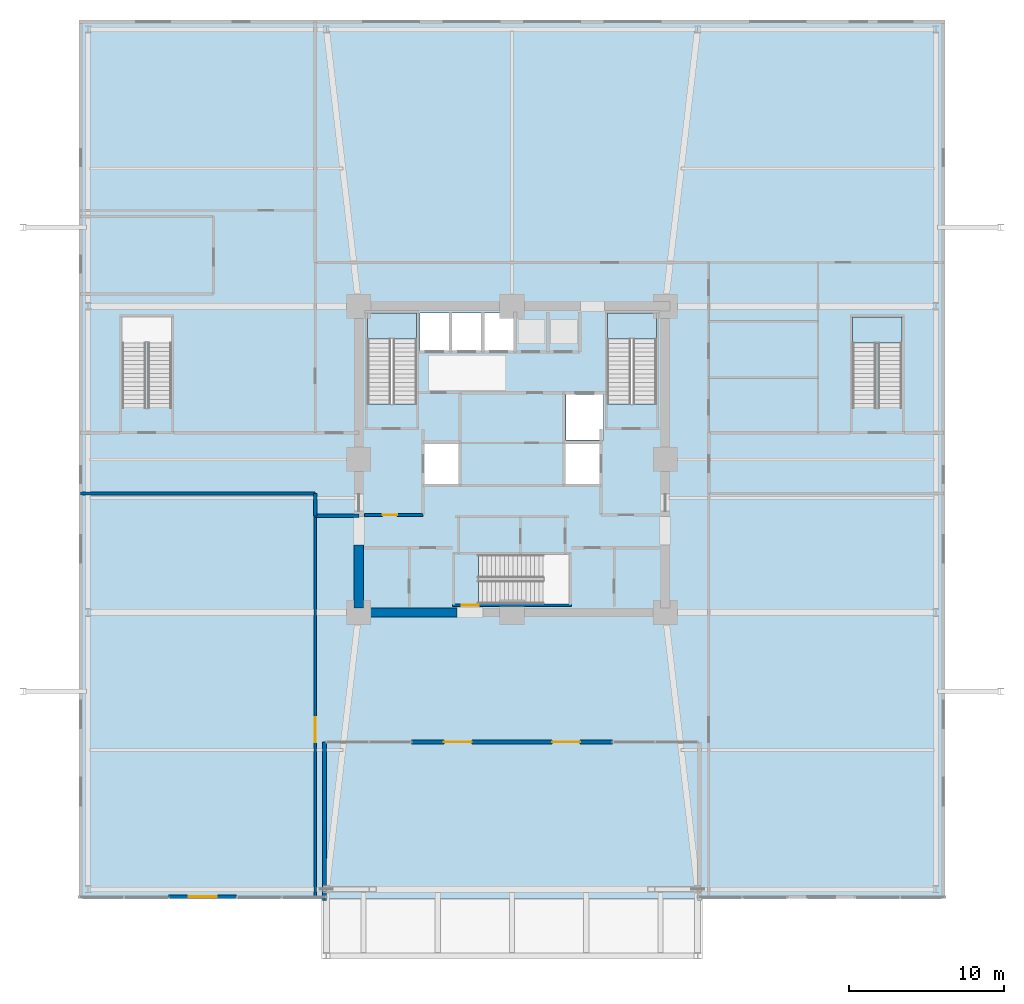
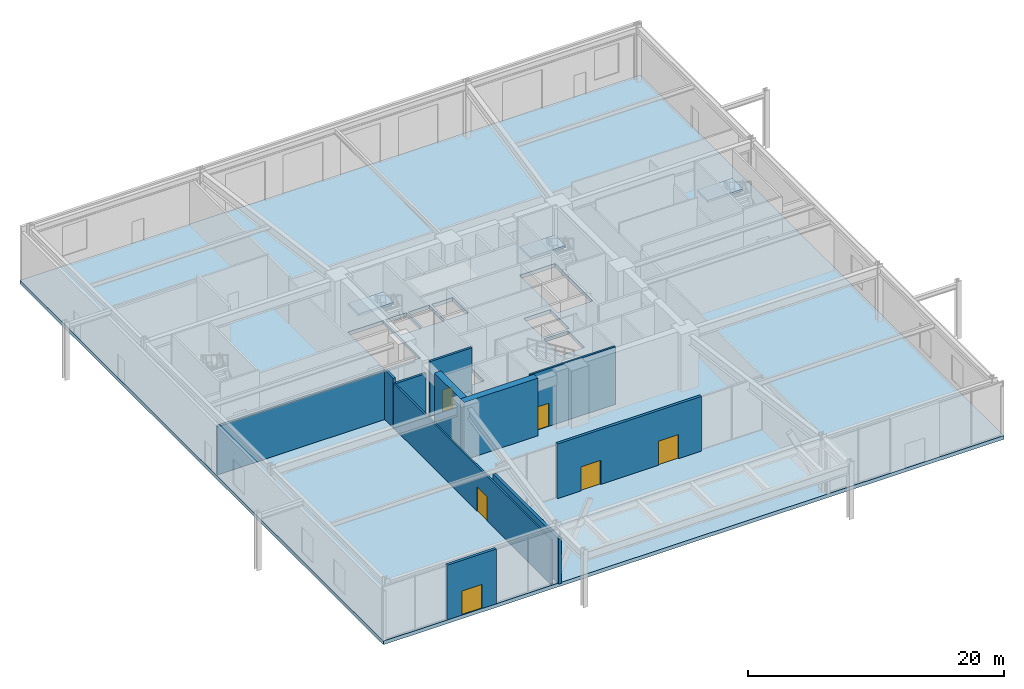
# One storey, part 17 of 24: 11 walls, 6 doors, 4 slabs, 6 openings, 3 elements without a shape of their own.
"""IFC4 building model written with IfcOpenShell, lengths in metres."""

from ifc_helpers import new_model, si_unit, direction, frame, frame_2d, origin, place, context, subcontext, project, spatial, polyline, rectangle, outline, extrude, material, layer, layer_set, type_object, element, fill, aggregate, save


model = new_model("IFC4")

# Units and contexts
model_context = context("Model", 3, precision=1e-05, world=origin(), true_north=direction((0.0, 1.0)))
body_context = subcontext(model_context, "Body", "Model", "MODEL_VIEW")
ifc_project = project(units=[si_unit("LENGTHUNIT", "METRE"), si_unit("AREAUNIT", "SQUARE_METRE"), si_unit("VOLUMEUNIT", "CUBIC_METRE"), si_unit("PLANEANGLEUNIT", "RADIAN"), si_unit("MASSUNIT", "GRAM", prefix="KILO")], contexts=[model_context])

# Site, building, storey
site_placement = place(None, origin())
site = spatial("IfcSite", under=ifc_project, at=site_placement, CompositionType="ELEMENT")
building_placement = place(site_placement, origin())
building = spatial("IfcBuilding", under=site, at=building_placement, Name="Kolvaren Belvedere", CompositionType="ELEMENT")
storey_placement = place(building_placement, origin())
storey = spatial("IfcBuildingStorey", under=building, at=storey_placement, Name="L01", CompositionType="ELEMENT", Elevation=0.0)

# Slab
ifc_material_1 = material(Name="Concrete C50/60", Category="concrete")
ifc_layer_1 = layer(ifc_material_1, 0.35009765625)
ifc_layer_set_1 = layer_set([ifc_layer_1], Name="Concrete C50/60")
slab_type_1 = type_object("IfcSlabType", Name="SL-FLR-350", PredefinedType="FLOOR", material=ifc_layer_set_1)
slab_1_placement = place(storey_placement, frame((0.0, 0.0, -0.35009765625)))
element("IfcSlab", 1, at=slab_1_placement, inside=storey, type_object=slab_type_1, Name="L01 Primary Structural Slab", PredefinedType="FLOOR", context=body_context, shape_type="SweptSolid", body=[
    extrude(outline(polyline([(-28.0, -28.39990234375), (28.0, -28.39990234375), (28.0, 28.39990234375), (-28.0, 28.39990234375), (-28.0, -28.39990234375)]), holes=[polyline([(-9.35009765625, 3.580078125), (-6.159912109375, 3.580078125), (-6.159912109375, 9.449951171875), (-9.35009765625, 9.449951171875), (-9.35009765625, 3.580078125)]), polyline([(6.159912109375, 3.580078125), (9.35009765625, 3.580078125), (9.35009765625, 9.449951171875), (6.159912109375, 9.449951171875), (6.159912109375, 3.580078125)]), polyline([(-2.169921875, -9.35009765625), (3.699951171875, -9.35009765625), (3.699951171875, -6.159912109375), (-2.169921875, -6.159912109375), (-2.169921875, -9.35009765625)]), polyline([(-5.64990234375, -1.60009765625), (-3.449951171875, -1.60009765625), (-3.449951171875, 1.0), (-5.64990234375, 1.0), (-5.64990234375, -1.60009765625)]), polyline([(3.5, 1.25), (5.89990234375, 1.25), (5.89990234375, 4.199951171875), (3.5, 4.199951171875), (3.5, 1.25)]), polyline([(3.449951171875, -1.60009765625), (5.64990234375, -1.60009765625), (5.64990234375, 1.0), (3.449951171875, 1.0), (3.449951171875, -1.60009765625)]), polyline([(-5.9599609375, 7.050048828125), (-4.06005859375, 7.050048828125), (-4.06005859375, 9.449951171875), (-5.9599609375, 9.449951171875), (-5.9599609375, 7.050048828125)]), polyline([(-3.8798828125, 7.050048828125), (-1.97998046875, 7.050048828125), (-1.97998046875, 9.449951171875), (-3.8798828125, 9.449951171875), (-3.8798828125, 7.050048828125)]), polyline([(-1.800048828125, 7.050048828125), (0.10009765625, 7.050048828125), (0.10009765625, 9.449951171875), (-1.800048828125, 9.449951171875), (-1.800048828125, 7.050048828125)])]), origin(), (0.0, 0.0, 1.0), 0.35009765625),
])

# Stair, slab
ifc_material_2 = material(Name="Concrete C50/60", Category="concrete")
stair_type_1 = type_object("IfcStairType", Name="ST-CORE-1520", PredefinedType="HALF_TURN_STAIR", material=ifc_material_2)
stair_1_placement = place(storey_placement, origin())
stair_1 = element("IfcStair", 2, at=stair_1_placement, inside=storey, type_object=stair_type_1, Name="L01 Protected Exit Stair ST-1", PredefinedType="HALF_TURN_STAIR")
ifc_material_3 = material(Name="Concrete C50/60", Category="concrete")
ifc_layer_2 = layer(ifc_material_3, 0.260009765625)
ifc_layer_set_2 = layer_set([ifc_layer_2], Name="Concrete C50/60")
slab_type_2 = type_object("IfcSlabType", Name="SL-LAND-260", PredefinedType="LANDING", material=ifc_layer_set_2)
slab_2_placement = place(storey_placement, frame((0.0, 0.0, 2.550048828125)))
slab_2 = element("IfcSlab", 3, at=slab_2_placement, type_object=slab_type_2, Name="ST-1 landing 1", PredefinedType="LANDING", context=body_context, shape_type="SweptSolid", body=[
    extrude(outline(polyline([(-6.159912109375, 7.77001953125), (-6.159912109375, 9.449951171875), (-9.35009765625, 9.449951171875), (-9.35009765625, 7.77001953125), (-6.159912109375, 7.77001953125)])), origin(), (0.0, 0.0, 1.0), 0.199951171875),
])
aggregate(stair_1, [slab_2])

stair_2_placement = place(storey_placement, origin())
stair_2 = element("IfcStair", 4, at=stair_2_placement, inside=storey, type_object=stair_type_1, Name="L01 Protected Exit Stair ST-2", PredefinedType="HALF_TURN_STAIR")
slab_3_placement = place(storey_placement, frame((0.0, 0.0, 2.550048828125)))
slab_3 = element("IfcSlab", 5, at=slab_3_placement, type_object=slab_type_2, Name="ST-2 landing 1", PredefinedType="LANDING", context=body_context, shape_type="SweptSolid", body=[
    extrude(outline(polyline([(9.35009765625, 7.77001953125), (9.35009765625, 9.449951171875), (6.159912109375, 9.449951171875), (6.159912109375, 7.77001953125), (9.35009765625, 7.77001953125)])), origin(), (0.0, 0.0, 1.0), 0.199951171875),
])
aggregate(stair_2, [slab_3])

ifc_material_4 = material(Name="Concrete C50/60", Category="concrete")
stair_type_2 = type_object("IfcStairType", Name="ST-POD-1520", PredefinedType="HALF_TURN_STAIR", material=ifc_material_4)
stair_3_placement = place(storey_placement, origin())
stair_3 = element("IfcStair", 6, at=stair_3_placement, inside=storey, type_object=stair_type_2, Name="L01 Podium Exit Stair ST-P2", PredefinedType="HALF_TURN_STAIR")
slab_4_placement = place(storey_placement, frame((0.0, 0.0, 2.550048828125)))
slab_4 = element("IfcSlab", 7, at=slab_4_placement, type_object=slab_type_2, Name="ST-P2 landing 1", PredefinedType="LANDING", context=body_context, shape_type="SweptSolid", body=[
    extrude(outline(polyline([(25.199951171875, 7.52001953125), (25.199951171875, 9.199951171875), (22.010009765625, 9.199951171875), (22.010009765625, 7.52001953125), (25.199951171875, 7.52001953125)])), origin(), (0.0, 0.0, 1.0), 0.199951171875),
])
aggregate(stair_3, [slab_4])

# Walls
ifc_material_5 = material(Name="Concrete C60/75", Category="concrete")
ifc_layer_3 = layer(ifc_material_5, 0.60009765625)
ifc_layer_set_3 = layer_set([ifc_layer_3], Name="Concrete C60/75")
wall_type_1 = type_object("IfcWallType", Name="CW-CORE-600", PredefinedType="SHEAR", material=ifc_layer_set_3)
wall_1_placement = place(storey_placement, frame((-3.5400390625, -9.89990234375, 0.0), z_axis=(0.0, 0.0, 1.0), x_axis=(-1.0, 0.0, 0.0)))
element("IfcWall", 8, at=wall_1_placement, inside=storey, type_object=wall_type_1, Name="L01 South Core Shear Wall 2", PredefinedType="SHEAR", context=body_context, shape_type="SweptSolid", body=[
    extrude(rectangle(XDim=6.659912109375, YDim=0.60009765625, at=frame_2d((3.330078125, 0.0))), origin(), (0.0, 0.0, 1.0), 5.5),
])
wall_2_placement = place(storey_placement, frame((-9.89990234375, -9.60009765625, 0.0), z_axis=(0.0, 0.0, 1.0), x_axis=(0.0, 1.0, 0.0)))
element("IfcWall", 9, at=wall_2_placement, inside=storey, type_object=wall_type_1, Name="L01 West Core Shear Wall 1", PredefinedType="SHEAR", context=body_context, shape_type="SweptSolid", body=[
    extrude(rectangle(XDim=4.050048828125, YDim=0.60009765625, at=frame_2d((2.02490234375, 0.0))), origin(), (0.0, 0.0, 1.0), 5.5),
])

# Wall, opening, door
ifc_material_6 = material(Name="Concrete C50/60", Category="concrete")
ifc_layer_4 = layer(ifc_material_6, 0.159912109375)
ifc_layer_set_4 = layer_set([ifc_layer_4], Name="Concrete C50/60")
wall_type_2 = type_object("IfcWallType", Name="CW-STAIR-160", PredefinedType="SHEAR", material=ifc_layer_set_4)
wall_3_placement = place(storey_placement, frame((3.860107421875, -9.429931640625, 0.0), z_axis=(0.0, 0.0, 1.0), x_axis=(-1.0, 0.0, 0.0)))
wall_3 = element("IfcWall", 10, at=wall_3_placement, inside=storey, type_object=wall_type_2, Name="L01 Stair ST-3 South Shear Wall", PredefinedType="SHEAR", context=body_context, shape_type="SweptSolid", body=[
    extrude(rectangle(XDim=7.72021484375, YDim=0.159912109375, at=frame_2d((3.860107421875, 0.0))), origin(), (0.0, 0.0, 1.0), 5.5),
])
opening_1_placement = place(wall_3_placement, frame((6.010009765625, 0.0, 0.0)))
opening_1 = element("IfcOpeningElement", 11, at=opening_1_placement, cuts=wall_3, Name="Opening D-FD90", PredefinedType="OPENING", context=body_context, shape_type="SweptSolid", body=[
    extrude(rectangle(XDim=1.10009765625, YDim=2.199951171875, at=frame_2d((0.550048828125, 1.10009765625))), frame((0.0, 0.08984375, 0.0), z_axis=(0.0, -1.0, 0.0), x_axis=(1.0, 0.0, 0.0)), (0.0, 0.0, 1.0), 0.179931640625),
])
ifc_material_7 = material(Name="Painted hollow stainless steel", Category="steel")
door_type_1 = type_object("IfcDoorType", Name="DR-FD90-1100", OperationType="NOTDEFINED", PredefinedType="DOOR", material=ifc_material_7)
door_1_placement = place(opening_1_placement, origin())
door_1 = element("IfcDoor", 12, at=door_1_placement, inside=storey, type_object=door_type_1, Name="L01 Stair ST-3 Exit Door", OperationType="SINGLE_SWING_RIGHT", OverallHeight=2.199951171875, OverallWidth=1.10009765625, PredefinedType="DOOR", context=body_context, shape_type="SweptSolid", body=[
    extrude(rectangle(XDim=1.10009765625, YDim=2.199951171875, at=frame_2d((0.550048828125, 1.10009765625))), frame((0.0, 0.02490234375, 0.0), z_axis=(0.0, -1.0, 0.0), x_axis=(1.0, 0.0, 0.0)), (0.0, 0.0, 1.0), 0.050048828125),
])
fill(opening_1, door_1)

ifc_material_8 = material(Name="Gypsum fire-rated partition assembly", Category="gypsum")
ifc_layer_5 = layer(ifc_material_8, 0.14990234375)
ifc_layer_set_5 = layer_set([ifc_layer_5], Name="Gypsum fire-rated partition assembly")
wall_type_3 = type_object("IfcWallType", Name="WL-CORR-150", PredefinedType="PARTITIONING", material=ifc_layer_set_5)
wall_4_placement = place(storey_placement, frame((-12.719970703125, -28.280029296875, 0.0), z_axis=(0.0, 0.0, 1.0), x_axis=(0.0, 1.0, 0.0)))
wall_4 = element("IfcWall", 13, at=wall_4_placement, inside=storey, type_object=wall_type_3, Name="L01 Reception East Wall", PredefinedType="PARTITIONING", context=body_context, shape_type="SweptSolid", body=[
    extrude(rectangle(XDim=24.630126953125, YDim=0.14990234375, at=frame_2d((12.31494140625, 0.0))), origin(), (0.0, 0.0, 1.0), 4.278076171875),
])
opening_2_placement = place(wall_4_placement, frame((10.0, 0.0, 0.0)))
opening_2 = element("IfcOpeningElement", 14, at=opening_2_placement, cuts=wall_4, Name="Opening D-GL16", PredefinedType="OPENING", context=body_context, shape_type="SweptSolid", body=[
    extrude(rectangle(XDim=1.60009765625, YDim=2.300048828125, at=frame_2d((0.800048828125, 1.14990234375))), frame((0.0, 0.0849609375, 0.0), z_axis=(0.0, -1.0, 0.0), x_axis=(1.0, 0.0, 0.0)), (0.0, 0.0, 1.0), 0.169921875),
])
ifc_material_9 = material(Name="Anodised pale-metal aluminium & safety glass", Category="aluminium")
door_type_2 = type_object("IfcDoorType", Name="DR-GLAZ-1600", OperationType="DOUBLE_DOOR_SINGLE_SWING", PredefinedType="DOOR", material=ifc_material_9)
door_2_placement = place(opening_2_placement, origin())
door_2 = element("IfcDoor", 15, at=door_2_placement, inside=storey, type_object=door_type_2, Name="L01 Hotel Reception Entry Door", OperationType="DOUBLE_DOOR_SINGLE_SWING", OverallHeight=2.300048828125, OverallWidth=1.60009765625, PredefinedType="DOOR", context=body_context, shape_type="SweptSolid", body=[
    extrude(rectangle(XDim=1.60009765625, YDim=2.300048828125, at=frame_2d((0.800048828125, 1.14990234375))), frame((0.0, 0.02490234375, 0.0), z_axis=(0.0, -1.0, 0.0), x_axis=(1.0, 0.0, 0.0)), (0.0, 0.0, 1.0), 0.050048828125),
])
fill(opening_2, door_2)

ifc_material_10 = material(Name="Insulated pale-metal facade wall assembly", Category="aluminium")
ifc_layer_6 = layer(ifc_material_10, 0.239990234375)
ifc_layer_set_6 = layer_set([ifc_layer_6], Name="Insulated pale-metal facade wall assembly")
wall_type_4 = type_object("IfcWallType", Name="WL-EXT-240", PredefinedType="STANDARD", material=ifc_layer_set_6)
wall_5_placement = place(storey_placement, frame((-17.800048828125, -28.280029296875, 0.0), z_axis=(0.0, 0.0, 1.0), x_axis=(-1.0, 0.0, 0.0)))
wall_5 = element("IfcWall", 16, at=wall_5_placement, inside=storey, type_object=wall_type_4, Name="L01 SW Street Entrance Wall", PredefinedType="STANDARD", context=body_context, shape_type="SweptSolid", body=[
    extrude(rectangle(XDim=4.39990234375, YDim=0.239990234375, at=frame_2d((2.199951171875, 0.0))), origin(), (0.0, 0.0, 1.0), 5.219970703125),
])
opening_3_placement = place(wall_5_placement, frame((1.300048828125, 0.0, 0.0)))
opening_3 = element("IfcOpeningElement", 17, at=opening_3_placement, cuts=wall_5, Name="Opening DE-1800", PredefinedType="OPENING", context=body_context, shape_type="SweptSolid", body=[
    extrude(rectangle(XDim=1.800048828125, YDim=2.300048828125, at=frame_2d((0.89990234375, 1.14990234375))), frame((0.0, 0.1298828125, 0.0), z_axis=(0.0, -1.0, 0.0), x_axis=(1.0, 0.0, 0.0)), (0.0, 0.0, 1.0), 0.260009765625),
])
ifc_material_11 = material(Name="Thermally broken pale-metal aluminium & safety glass", Category="aluminium")
door_type_3 = type_object("IfcDoorType", Name="DR-EXT-1800", OperationType="DOUBLE_DOOR_SINGLE_SWING", PredefinedType="DOOR", material=ifc_material_11)
door_3_placement = place(opening_3_placement, origin())
door_3 = element("IfcDoor", 18, at=door_3_placement, inside=storey, type_object=door_type_3, Name="L01 SW Grand Street Entrance Door", OperationType="DOUBLE_DOOR_SINGLE_SWING", OverallHeight=2.300048828125, OverallWidth=1.800048828125, PredefinedType="DOOR", context=body_context, shape_type="SweptSolid", body=[
    extrude(rectangle(XDim=1.800048828125, YDim=2.300048828125, at=frame_2d((0.89990234375, 1.14990234375))), frame((0.0, 0.02490234375, 0.0), z_axis=(0.0, -1.0, 0.0), x_axis=(1.0, 0.0, 0.0)), (0.0, 0.0, 1.0), 0.050048828125),
])
fill(opening_3, door_3)

# Wall
wall_6_placement = place(storey_placement, frame((-12.1201171875, -18.280029296875, 0.0), z_axis=(0.0, 0.0, 1.0), x_axis=(0.0, -1.0, 0.0)))
element("IfcWall", 19, at=wall_6_placement, inside=storey, type_object=wall_type_4, Name="L01 Serrated Corner Facade Wall 2", PredefinedType="STANDARD", context=body_context, shape_type="SweptSolid", body=[
    extrude(rectangle(XDim=10.239990234375, YDim=0.239990234375, at=frame_2d((5.1201171875, 0.0))), origin(), (0.0, 0.0, 1.0), 4.2880859375),
])

# Wall, openings, doors
wall_7_placement = place(storey_placement, frame((6.5, -18.280029296875, 0.0), z_axis=(0.0, 0.0, 1.0), x_axis=(-1.0, 0.0, 0.0)))
wall_7 = element("IfcWall", 20, at=wall_7_placement, inside=storey, type_object=wall_type_4, Name="L01 Giant Portal Arch Concourse Entrance Wall", PredefinedType="STANDARD", context=body_context, shape_type="SweptSolid", body=[
    extrude(rectangle(XDim=13.0, YDim=0.239990234375, at=frame_2d((6.5, 0.0))), origin(), (0.0, 0.0, 1.0), 5.219970703125),
])
opening_4_placement = place(wall_7_placement, frame((2.10009765625, 0.0, 0.0)))
opening_4 = element("IfcOpeningElement", 21, at=opening_4_placement, cuts=wall_7, Name="Opening DE-1800", PredefinedType="OPENING", context=body_context, shape_type="SweptSolid", body=[
    extrude(rectangle(XDim=1.800048828125, YDim=2.300048828125, at=frame_2d((0.89990234375, 1.14990234375))), frame((0.0, 0.1298828125, 0.0), z_axis=(0.0, -1.0, 0.0), x_axis=(1.0, 0.0, 0.0)), (0.0, 0.0, 1.0), 0.260009765625),
])
opening_5_placement = place(wall_7_placement, frame((9.10009765625, 0.0, 0.0)))
opening_5 = element("IfcOpeningElement", 22, at=opening_5_placement, cuts=wall_7, Name="Opening DE-1800", PredefinedType="OPENING", context=body_context, shape_type="SweptSolid", body=[
    extrude(rectangle(XDim=1.800048828125, YDim=2.300048828125, at=frame_2d((0.89990234375, 1.14990234375))), frame((0.0, 0.1298828125, 0.0), z_axis=(0.0, -1.0, 0.0), x_axis=(1.0, 0.0, 0.0)), (0.0, 0.0, 1.0), 0.260009765625),
])
door_4_placement = place(opening_4_placement, origin())
door_4 = element("IfcDoor", 23, at=door_4_placement, inside=storey, type_object=door_type_3, Name="L01 Portal Concourse East Entrance Door", OperationType="DOUBLE_DOOR_SINGLE_SWING", OverallHeight=2.300048828125, OverallWidth=1.800048828125, PredefinedType="DOOR", context=body_context, shape_type="SweptSolid", body=[
    extrude(rectangle(XDim=1.800048828125, YDim=2.300048828125, at=frame_2d((0.89990234375, 1.14990234375))), frame((0.0, 0.02490234375, 0.0), z_axis=(0.0, -1.0, 0.0), x_axis=(1.0, 0.0, 0.0)), (0.0, 0.0, 1.0), 0.050048828125),
])
fill(opening_4, door_4)
door_5_placement = place(opening_5_placement, origin())
door_5 = element("IfcDoor", 24, at=door_5_placement, inside=storey, type_object=door_type_3, Name="L01 Portal Concourse West Entrance Door", OperationType="DOUBLE_DOOR_SINGLE_SWING", OverallHeight=2.300048828125, OverallWidth=1.800048828125, PredefinedType="DOOR", context=body_context, shape_type="SweptSolid", body=[
    extrude(rectangle(XDim=1.800048828125, YDim=2.300048828125, at=frame_2d((0.89990234375, 1.14990234375))), frame((0.0, 0.02490234375, 0.0), z_axis=(0.0, -1.0, 0.0), x_axis=(1.0, 0.0, 0.0)), (0.0, 0.0, 1.0), 0.050048828125),
])
fill(opening_5, door_5)

# Wall, opening, door
ifc_material_12 = material(Name="Concrete C50/60", Category="concrete")
ifc_layer_7 = layer(ifc_material_12, 0.199951171875)
ifc_layer_set_7 = layer_set([ifc_layer_7], Name="Concrete C50/60")
wall_type_5 = type_object("IfcWallType", Name="WL-SHAFT-200", PredefinedType="SOLIDWALL", material=ifc_layer_set_7)
wall_8_placement = place(storey_placement, frame((-9.52001953125, -3.60009765625, 0.0), z_axis=(0.0, 0.0, 1.0), x_axis=(1.0, 0.0, 0.0)))
wall_8 = element("IfcWall", 25, at=wall_8_placement, inside=storey, type_object=wall_type_5, Name="L01 West FSAE Lobby South Wall", PredefinedType="SOLIDWALL", context=body_context, shape_type="SweptSolid", body=[
    extrude(rectangle(XDim=3.77001953125, YDim=0.199951171875, at=frame_2d((1.885009765625, 0.0))), origin(), (0.0, 0.0, 1.0), 5.219970703125),
])
opening_6_placement = place(wall_8_placement, frame((1.14990234375, 0.0, 0.0)))
opening_6 = element("IfcOpeningElement", 26, at=opening_6_placement, cuts=wall_8, Name="Opening D-FD60", PredefinedType="OPENING", context=body_context, shape_type="SweptSolid", body=[
    extrude(rectangle(XDim=0.949951171875, YDim=2.06005859375, at=frame_2d((0.47509765625, 1.030029296875))), frame((0.0, 0.10986328125, 0.0), z_axis=(0.0, -1.0, 0.0), x_axis=(1.0, 0.0, 0.0)), (0.0, 0.0, 1.0), 0.219970703125),
])
ifc_material_13 = material(Name="Acoustic white-oak fire door leaf", Category="timber")
door_type_4 = type_object("IfcDoorType", Name="DR-FD60-950", OperationType="NOTDEFINED", PredefinedType="DOOR", material=ifc_material_13)
door_6_placement = place(opening_6_placement, origin())
door_6 = element("IfcDoor", 27, at=door_6_placement, inside=storey, type_object=door_type_4, Name="L01 SW Lift Lobby Fire Door", OperationType="SINGLE_SWING_LEFT", OverallHeight=2.06005859375, OverallWidth=0.949951171875, PredefinedType="DOOR", context=body_context, shape_type="SweptSolid", body=[
    extrude(rectangle(XDim=0.949951171875, YDim=2.06005859375, at=frame_2d((0.47509765625, 1.030029296875))), frame((0.0, 0.02490234375, 0.0), z_axis=(0.0, -1.0, 0.0), x_axis=(1.0, 0.0, 0.0)), (0.0, 0.0, 1.0), 0.050048828125),
])
fill(opening_6, door_6)

# Walls
wall_9_placement = place(storey_placement, frame((-27.8798828125, -2.199951171875, 0.0), z_axis=(0.0, 0.0, 1.0), x_axis=(1.0, 0.0, 0.0)))
element("IfcWall", 28, at=wall_9_placement, inside=storey, type_object=wall_type_5, Name="L01 West Exit Passage South Fire Wall", PredefinedType="SOLIDWALL", context=body_context, shape_type="SweptSolid", body=[
    extrude(rectangle(XDim=15.159912109375, YDim=0.199951171875, at=frame_2d((7.580078125, 0.0))), origin(), (0.0, 0.0, 1.0), 4.589111328125),
])
wall_10_placement = place(storey_placement, frame((-12.719970703125, -3.64990234375, 0.0), z_axis=(0.0, 0.0, 1.0), x_axis=(0.0, 1.0, 0.0)))
element("IfcWall", 29, at=wall_10_placement, inside=storey, type_object=wall_type_5, Name="L01 West Exit Passage Vestibule West Wall", PredefinedType="SOLIDWALL", context=body_context, shape_type="SweptSolid", body=[
    extrude(rectangle(XDim=1.449951171875, YDim=0.199951171875, at=frame_2d((0.72509765625, 0.0))), origin(), (0.0, 0.0, 1.0), 4.7451171875),
])
wall_11_placement = place(storey_placement, frame((-12.719970703125, -3.64990234375, 0.0), z_axis=(0.0, 0.0, 1.0), x_axis=(1.0, 0.0, 0.0)))
element("IfcWall", 30, at=wall_11_placement, inside=storey, type_object=wall_type_5, Name="L01 West Exit Passage Vestibule South Wall", PredefinedType="SOLIDWALL", context=body_context, shape_type="SweptSolid", body=[
    extrude(rectangle(XDim=2.820068359375, YDim=0.199951171875, at=frame_2d((1.41015625, 0.0))), origin(), (0.0, 0.0, 1.0), 4.2548828125),
])

save(model, "model.ifc")
